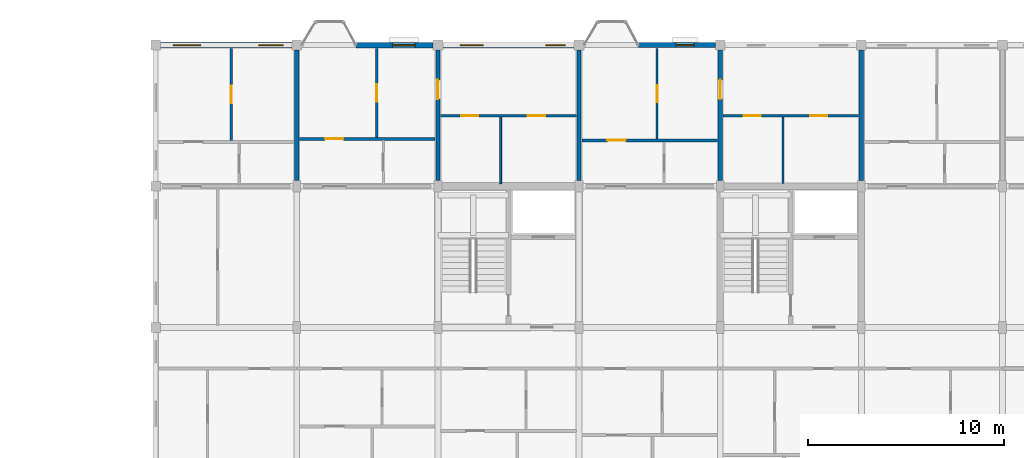
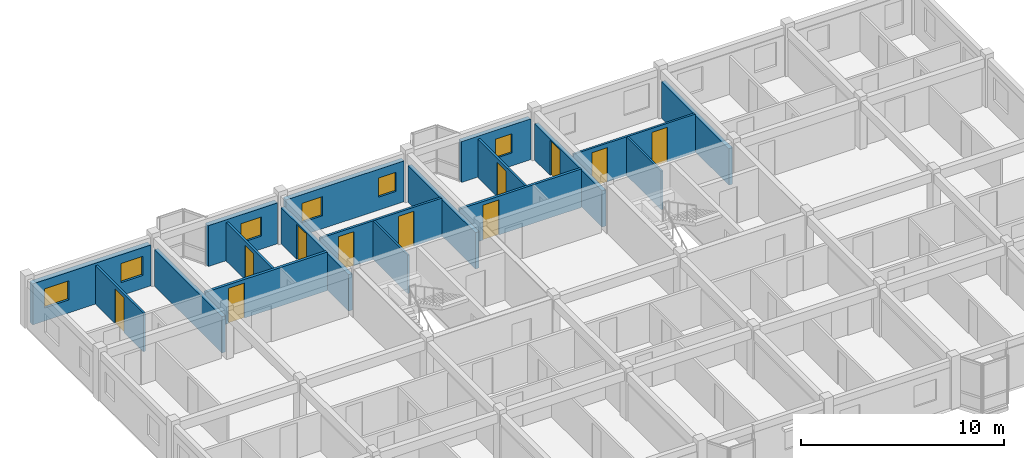
# One storey, part 59 of 65: 18 walls, 11 doors, 6 windows, 17 openings.
"""IFC4 building model written with IfcOpenShell, lengths in metres."""

from ifc_helpers import new_model, si_unit, direction, frame, frame_2d, origin, place, context, subcontext, project, spatial, rectangle, extrude, material, layer, layer_set, type_object, element, fill, save


model = new_model("IFC4")

# Units and contexts
model_context = context("Model", 3, precision=1e-05, world=origin(), true_north=direction((0.0, 1.0)))
body_context = subcontext(model_context, "Body", "Model", "MODEL_VIEW")
ifc_project = project(units=[si_unit("LENGTHUNIT", "METRE"), si_unit("AREAUNIT", "SQUARE_METRE"), si_unit("VOLUMEUNIT", "CUBIC_METRE"), si_unit("PLANEANGLEUNIT", "RADIAN"), si_unit("MASSUNIT", "GRAM", prefix="KILO"), si_unit("THERMODYNAMICTEMPERATUREUNIT", "KELVIN"), si_unit("POWERUNIT", "WATT")], contexts=[model_context])

# Site, building, storey
site_placement = place(None, origin())
site = spatial("IfcSite", under=ifc_project, at=site_placement, CompositionType="ELEMENT")
building_placement = place(site_placement, origin())
building = spatial("IfcBuilding", under=site, at=building_placement, Name="Tavuni Mirador Residences", CompositionType="ELEMENT")
storey_placement = place(building_placement, frame((0.0, 0.0, 29.699951171875)))
storey = spatial("IfcBuildingStorey", under=building, at=storey_placement, Name="L09", CompositionType="ELEMENT", Elevation=29.699951171875)

# Wall, opening, window
ifc_material_1 = material(Name="Sgraffito lime-rendered precast concrete C40/50", Category="concrete")
ifc_layer_1 = layer(ifc_material_1, 0.2548828125, Name="Sgraffito lime-rendered precast concrete C40/50", Category="concrete")
ifc_layer_set_1 = layer_set([ifc_layer_1], Name="Sgraffito lime-rendered precast concrete C40/50")
wall_type_1 = type_object("IfcWallType", Name="WT-EXT-PC255", PredefinedType="SOLIDWALL", material=ifc_layer_set_1)
wall_1_placement = place(storey_placement, frame((39.35009765625, 172.800048828125, 0.0), z_axis=(0.0, 0.0, 1.0), x_axis=(-1.0, 0.0, 0.0)))
wall_1 = element("IfcWall", 1, at=wall_1_placement, inside=storey, type_object=wall_type_1, Name="EW-BLK-C-L09-N03", PredefinedType="SOLIDWALL", context=body_context, shape_type="SweptSolid", body=[
    extrude(rectangle(XDim=3.93017578125, YDim=0.2548828125, at=frame_2d((1.965087890625, 0.0))), origin(), (0.0, 0.0, 1.0), 2.455078125),
])
opening_1_placement = place(wall_1_placement, frame((1.080078125, 0.0, 0.780029296875)))
opening_1 = element("IfcOpeningElement", 2, at=opening_1_placement, cuts=wall_1, Name="Opening WN-02", PredefinedType="OPENING", context=body_context, shape_type="SweptSolid", body=[
    extrude(rectangle(XDim=0.919921875, YDim=1.14990234375, at=frame_2d((0.4599609375, 0.574951171875))), frame((0.0, 0.137451171875, 0.0), z_axis=(0.0, -1.0, 0.0), x_axis=(1.0, 0.0, 0.0)), (0.0, 0.0, 1.0), 0.27490234375),
])
ifc_material_2 = material(Name="Laminated solar-control glass", Category="glass")
window_type_1 = type_object("IfcWindowType", Name="WNT-02", PartitioningType="SINGLE_PANEL", PredefinedType="WINDOW", material=ifc_material_2)
window_1_placement = place(opening_1_placement, origin())
window_1 = element("IfcWindow", 3, at=window_1_placement, inside=storey, type_object=window_type_1, Name="WIN-1252", OverallHeight=1.14990234375, OverallWidth=0.919921875, PartitioningType="SINGLE_PANEL", PredefinedType="WINDOW", context=body_context, shape_type="SweptSolid", body=[
    extrude(rectangle(XDim=0.919921875, YDim=1.14990234375, at=frame_2d((0.4599609375, 0.574951171875))), frame((0.0, 0.030029296875, 0.0), z_axis=(0.0, -1.0, 0.0), x_axis=(1.0, 0.0, 0.0)), (0.0, 0.0, 1.0), 0.06005859375),
])
fill(opening_1, window_1)

# Wall, openings, windows
ifc_layer_2 = layer(ifc_material_1, 0.27490234375, Name="Sgraffito lime-rendered precast concrete C40/50", Category="concrete")
ifc_layer_set_2 = layer_set([ifc_layer_2], Name="Sgraffito lime-rendered precast concrete C40/50")
wall_type_2 = type_object("IfcWallType", Name="WT-EXT-PC275", PredefinedType="SOLIDWALL", material=ifc_layer_set_2)
wall_2_placement = place(storey_placement, frame((32.14990234375, 172.800048828125, 0.0), z_axis=(0.0, 0.0, 1.0), x_axis=(-1.0, 0.0, 0.0)))
wall_2 = element("IfcWall", 4, at=wall_2_placement, inside=storey, type_object=wall_type_2, Name="EW-BLK-C-L09-N02", PredefinedType="SOLIDWALL", context=body_context, shape_type="SweptSolid", body=[
    extrude(rectangle(XDim=6.699951171875, YDim=0.27490234375, at=frame_2d((3.35009765625, 0.0))), origin(), (0.0, 0.0, 1.0), 2.455078125),
])
opening_2_placement = place(wall_2_placement, frame((0.449951171875, 0.0, 0.780029296875)))
opening_2 = element("IfcOpeningElement", 5, at=opening_2_placement, cuts=wall_2, Name="Opening WN-03", PredefinedType="OPENING", context=body_context, shape_type="SweptSolid", body=[
    extrude(rectangle(XDim=1.0, YDim=1.14990234375, at=frame_2d((0.5, 0.574951171875))), frame((0.0, 0.1474609375, 0.0), z_axis=(0.0, -1.0, 0.0), x_axis=(1.0, 0.0, 0.0)), (0.0, 0.0, 1.0), 0.294921875),
])
opening_3_placement = place(wall_2_placement, frame((4.64990234375, 0.0, 0.780029296875)))
opening_3 = element("IfcOpeningElement", 6, at=opening_3_placement, cuts=wall_2, Name="Opening WN-05", PredefinedType="OPENING", context=body_context, shape_type="SweptSolid", body=[
    extrude(rectangle(XDim=1.159912109375, YDim=1.14990234375, at=frame_2d((0.580078125, 0.574951171875))), frame((0.0, 0.1474609375, 0.0), z_axis=(0.0, -1.0, 0.0), x_axis=(1.0, 0.0, 0.0)), (0.0, 0.0, 1.0), 0.294921875),
])
window_type_2 = type_object("IfcWindowType", Name="WNT-03", PartitioningType="SINGLE_PANEL", PredefinedType="WINDOW", material=ifc_material_2)
window_2_placement = place(opening_2_placement, origin())
window_2 = element("IfcWindow", 7, at=window_2_placement, inside=storey, type_object=window_type_2, Name="WIN-1253", OverallHeight=1.14990234375, OverallWidth=1.0, PartitioningType="SINGLE_PANEL", PredefinedType="WINDOW", context=body_context, shape_type="SweptSolid", body=[
    extrude(rectangle(XDim=1.0, YDim=1.14990234375, at=frame_2d((0.5, 0.574951171875))), frame((0.0, 0.030029296875, 0.0), z_axis=(0.0, -1.0, 0.0), x_axis=(1.0, 0.0, 0.0)), (0.0, 0.0, 1.0), 0.06005859375),
])
fill(opening_2, window_2)
window_type_3 = type_object("IfcWindowType", Name="WNT-05", PartitioningType="SINGLE_PANEL", PredefinedType="WINDOW", material=ifc_material_2)
window_3_placement = place(opening_3_placement, origin())
window_3 = element("IfcWindow", 8, at=window_3_placement, inside=storey, type_object=window_type_3, Name="WIN-1254", OverallHeight=1.14990234375, OverallWidth=1.159912109375, PartitioningType="SINGLE_PANEL", PredefinedType="WINDOW", context=body_context, shape_type="SweptSolid", body=[
    extrude(rectangle(XDim=1.159912109375, YDim=1.14990234375, at=frame_2d((0.580078125, 0.574951171875))), frame((0.0, 0.030029296875, 0.0), z_axis=(0.0, -1.0, 0.0), x_axis=(1.0, 0.0, 0.0)), (0.0, 0.0, 1.0), 0.06005859375),
])
fill(opening_3, window_3)

# Wall, opening, window
ifc_layer_3 = layer(ifc_material_1, 0.2900390625, Name="Sgraffito lime-rendered precast concrete C40/50", Category="concrete")
ifc_layer_set_3 = layer_set([ifc_layer_3], Name="Sgraffito lime-rendered precast concrete C40/50")
wall_type_3 = type_object("IfcWallType", Name="WT-EXT-PC290", PredefinedType="SOLIDWALL", material=ifc_layer_set_3)
wall_3_placement = place(storey_placement, frame((24.949951171875, 172.800048828125, 0.0), z_axis=(0.0, 0.0, 1.0), x_axis=(-1.0, 0.0, 0.0)))
wall_3 = element("IfcWall", 9, at=wall_3_placement, inside=storey, type_object=wall_type_3, Name="EW-BLK-C-L09-N01", PredefinedType="SOLIDWALL", context=body_context, shape_type="SweptSolid", body=[
    extrude(rectangle(XDim=3.929931640625, YDim=0.2900390625, at=frame_2d((1.96484375, 0.0))), origin(), (0.0, 0.0, 1.0), 2.455078125),
])
opening_4_placement = place(wall_3_placement, frame((0.909912109375, 0.0, 0.780029296875)))
opening_4 = element("IfcOpeningElement", 10, at=opening_4_placement, cuts=wall_3, Name="Opening WN-05", PredefinedType="OPENING", context=body_context, shape_type="SweptSolid", body=[
    extrude(rectangle(XDim=1.159912109375, YDim=1.14990234375, at=frame_2d((0.580078125, 0.574951171875))), frame((0.0, 0.155029296875, 0.0), z_axis=(0.0, -1.0, 0.0), x_axis=(1.0, 0.0, 0.0)), (0.0, 0.0, 1.0), 0.31005859375),
])
window_4_placement = place(opening_4_placement, origin())
window_4 = element("IfcWindow", 11, at=window_4_placement, inside=storey, type_object=window_type_3, Name="WIN-1255", OverallHeight=1.14990234375, OverallWidth=1.159912109375, PartitioningType="SINGLE_PANEL", PredefinedType="WINDOW", context=body_context, shape_type="SweptSolid", body=[
    extrude(rectangle(XDim=1.159912109375, YDim=1.14990234375, at=frame_2d((0.580078125, 0.574951171875))), frame((0.0, 0.030029296875, 0.0), z_axis=(0.0, -1.0, 0.0), x_axis=(1.0, 0.0, 0.0)), (0.0, 0.0, 1.0), 0.06005859375),
])
fill(opening_4, window_4)

# Wall, openings, windows
ifc_layer_4 = layer(ifc_material_1, 0.304931640625, Name="Sgraffito lime-rendered precast concrete C40/50", Category="concrete")
ifc_layer_set_4 = layer_set([ifc_layer_4], Name="Sgraffito lime-rendered precast concrete C40/50")
wall_type_4 = type_object("IfcWallType", Name="WT-EXT-PC305", PredefinedType="SOLIDWALL", material=ifc_layer_set_4)
wall_4_placement = place(storey_placement, frame((17.75, 172.800048828125, 0.0), z_axis=(0.0, 0.0, 1.0), x_axis=(-1.0, 0.0, 0.0)))
wall_4 = element("IfcWall", 12, at=wall_4_placement, inside=storey, type_object=wall_type_4, Name="EW-BLK-C-L09-N00", PredefinedType="SOLIDWALL", context=body_context, shape_type="SweptSolid", body=[
    extrude(rectangle(XDim=6.699951171875, YDim=0.304931640625, at=frame_2d((3.35009765625, 0.0))), origin(), (0.0, 0.0, 1.0), 2.455078125),
])
opening_5_placement = place(wall_4_placement, frame((0.449951171875, 0.0, 0.780029296875)))
opening_5 = element("IfcOpeningElement", 13, at=opening_5_placement, cuts=wall_4, Name="Opening WN-06", PredefinedType="OPENING", context=body_context, shape_type="SweptSolid", body=[
    extrude(rectangle(XDim=1.239990234375, YDim=1.14990234375, at=frame_2d((0.6201171875, 0.574951171875))), frame((0.0, 0.16259765625, 0.0), z_axis=(0.0, -1.0, 0.0), x_axis=(1.0, 0.0, 0.0)), (0.0, 0.0, 1.0), 0.324951171875),
])
opening_6_placement = place(wall_4_placement, frame((4.64990234375, 0.0, 0.780029296875)))
opening_6 = element("IfcOpeningElement", 14, at=opening_6_placement, cuts=wall_4, Name="Opening WN-08", PredefinedType="OPENING", context=body_context, shape_type="SweptSolid", body=[
    extrude(rectangle(XDim=1.39990234375, YDim=1.14990234375, at=frame_2d((0.699951171875, 0.574951171875))), frame((0.0, 0.16259765625, 0.0), z_axis=(0.0, -1.0, 0.0), x_axis=(1.0, 0.0, 0.0)), (0.0, 0.0, 1.0), 0.324951171875),
])
window_type_4 = type_object("IfcWindowType", Name="WNT-06", PartitioningType="SINGLE_PANEL", PredefinedType="WINDOW", material=ifc_material_2)
window_5_placement = place(opening_5_placement, origin())
window_5 = element("IfcWindow", 15, at=window_5_placement, inside=storey, type_object=window_type_4, Name="WIN-1256", OverallHeight=1.14990234375, OverallWidth=1.239990234375, PartitioningType="SINGLE_PANEL", PredefinedType="WINDOW", context=body_context, shape_type="SweptSolid", body=[
    extrude(rectangle(XDim=1.239990234375, YDim=1.14990234375, at=frame_2d((0.6201171875, 0.574951171875))), frame((0.0, 0.030029296875, 0.0), z_axis=(0.0, -1.0, 0.0), x_axis=(1.0, 0.0, 0.0)), (0.0, 0.0, 1.0), 0.06005859375),
])
fill(opening_5, window_5)
window_type_5 = type_object("IfcWindowType", Name="WNT-08", PartitioningType="SINGLE_PANEL", PredefinedType="WINDOW", material=ifc_material_2)
window_6_placement = place(opening_6_placement, origin())
window_6 = element("IfcWindow", 16, at=window_6_placement, inside=storey, type_object=window_type_5, Name="WIN-1257", OverallHeight=1.14990234375, OverallWidth=1.39990234375, PartitioningType="SINGLE_PANEL", PredefinedType="WINDOW", context=body_context, shape_type="SweptSolid", body=[
    extrude(rectangle(XDim=1.39990234375, YDim=1.14990234375, at=frame_2d((0.699951171875, 0.574951171875))), frame((0.0, 0.030029296875, 0.0), z_axis=(0.0, -1.0, 0.0), x_axis=(1.0, 0.0, 0.0)), (0.0, 0.0, 1.0), 0.06005859375),
])
fill(opening_6, window_6)

# Walls
ifc_material_3 = material(Name="Acoustic gypsum and concrete block partition", Category="concrete")
ifc_layer_5 = layer(ifc_material_3, 0.094970703125, Name="Acoustic gypsum and concrete block partition", Category="concrete")
ifc_layer_set_5 = layer_set([ifc_layer_5], Name="Acoustic gypsum and concrete block partition")
wall_type_5 = type_object("IfcWallType", Name="WT-PART095", PredefinedType="PARTITIONING", material=ifc_layer_set_5)
wall_5_placement = place(storey_placement, frame((28.39990234375, 165.739990234375, 0.0), z_axis=(0.0, 0.0, 1.0), x_axis=(0.0, 1.0, 0.0)))
element("IfcWall", 17, at=wall_5_placement, inside=storey, type_object=wall_type_5, Name="PW-BLK-C-L09-NC02-V", PredefinedType="PARTITIONING", context=body_context, shape_type="SweptSolid", body=[
    extrude(rectangle(XDim=3.389892578125, YDim=0.094970703125, at=frame_2d((1.69482421875, 0.0))), origin(), (0.0, 0.0, 1.0), 2.320068359375),
])
ifc_layer_6 = layer(ifc_material_3, 0.10498046875, Name="Acoustic gypsum and concrete block partition", Category="concrete")
ifc_layer_set_6 = layer_set([ifc_layer_6], Name="Acoustic gypsum and concrete block partition")
wall_type_6 = type_object("IfcWallType", Name="WT-PART105", PredefinedType="PARTITIONING", material=ifc_layer_set_6)
wall_6_placement = place(storey_placement, frame((42.800048828125, 165.739990234375, 0.0), z_axis=(0.0, 0.0, 1.0), x_axis=(0.0, 1.0, 0.0)))
element("IfcWall", 18, at=wall_6_placement, inside=storey, type_object=wall_type_6, Name="PW-BLK-C-L09-NC04-V", PredefinedType="PARTITIONING", context=body_context, shape_type="SweptSolid", body=[
    extrude(rectangle(XDim=3.389892578125, YDim=0.10498046875, at=frame_2d((1.69482421875, 0.0))), origin(), (0.0, 0.0, 1.0), 2.320068359375),
])

# Wall, opening, door
ifc_layer_7 = layer(ifc_material_3, 0.114990234375, Name="Acoustic gypsum and concrete block partition", Category="concrete")
ifc_layer_set_7 = layer_set([ifc_layer_7], Name="Acoustic gypsum and concrete block partition")
wall_type_7 = type_object("IfcWallType", Name="WT-PART115", PredefinedType="PARTITIONING", material=ifc_layer_set_7)
wall_7_placement = place(storey_placement, frame((36.3798828125, 168.010009765625, 0.0), z_axis=(0.0, 0.0, 1.0), x_axis=(0.0, 1.0, 0.0)))
wall_7 = element("IfcWall", 19, at=wall_7_placement, inside=storey, type_object=wall_type_7, Name="PW-BLK-C-L09-N03-OUT", PredefinedType="PARTITIONING", context=body_context, shape_type="SweptSolid", body=[
    extrude(rectangle(XDim=4.614990234375, YDim=0.114990234375, at=frame_2d((2.3076171875, 0.0))), origin(), (0.0, 0.0, 1.0), 2.320068359375),
])
opening_7_placement = place(wall_7_placement, frame((1.867431640625, 0.0, 0.0)))
opening_7 = element("IfcOpeningElement", 20, at=opening_7_placement, cuts=wall_7, Name="Opening D-08", PredefinedType="OPENING", context=body_context, shape_type="SweptSolid", body=[
    extrude(rectangle(XDim=0.8798828125, YDim=2.080078125, at=frame_2d((0.43994140625, 1.0400390625))), frame((0.0, 0.0673828125, 0.0), z_axis=(0.0, -1.0, 0.0), x_axis=(1.0, 0.0, 0.0)), (0.0, 0.0, 1.0), 0.135009765625),
])
ifc_material_4 = material(Name="Solid core iroko timber", Category="wood")
door_type_1 = type_object("IfcDoorType", Name="DT-BED880", OperationType="NOTDEFINED", PredefinedType="DOOR", material=ifc_material_4)
door_1_placement = place(opening_7_placement, origin())
door_1 = element("IfcDoor", 21, at=door_1_placement, inside=storey, type_object=door_type_1, Name="DR-4134", OperationType="SINGLE_SWING_LEFT", OverallHeight=2.080078125, OverallWidth=0.8798828125, PredefinedType="DOOR", context=body_context, shape_type="SweptSolid", body=[
    extrude(rectangle(XDim=0.8798828125, YDim=2.080078125, at=frame_2d((0.43994140625, 1.0400390625))), frame((0.0, 0.02490234375, 0.0), z_axis=(0.0, -1.0, 0.0), x_axis=(1.0, 0.0, 0.0)), (0.0, 0.0, 1.0), 0.050048828125),
])
fill(opening_7, door_1)

# Wall, openings, doors
wall_8_placement = place(storey_placement, frame((39.739990234375, 169.199951171875, 0.0), z_axis=(0.0, 0.0, 1.0), x_axis=(1.0, 0.0, 0.0)))
wall_8 = element("IfcWall", 22, at=wall_8_placement, inside=storey, type_object=wall_type_7, Name="PW-BLK-C-L09-NC04-M", PredefinedType="PARTITIONING", context=body_context, shape_type="SweptSolid", body=[
    extrude(rectangle(XDim=6.919921875, YDim=0.114990234375, at=frame_2d((3.4599609375, 0.0))), origin(), (0.0, 0.0, 1.0), 2.320068359375),
])
opening_8_placement = place(wall_8_placement, frame((1.050048828125, 0.0, 0.0)))
opening_8 = element("IfcOpeningElement", 23, at=opening_8_placement, cuts=wall_8, Name="Opening D-10", PredefinedType="OPENING", context=body_context, shape_type="SweptSolid", body=[
    extrude(rectangle(XDim=0.8701171875, YDim=2.050048828125, at=frame_2d((0.43505859375, 1.02490234375))), frame((0.0, 0.0673828125, 0.0), z_axis=(0.0, -1.0, 0.0), x_axis=(1.0, 0.0, 0.0)), (0.0, 0.0, 1.0), 0.135009765625),
])
opening_9_placement = place(wall_8_placement, frame((4.449951171875, 0.0, 0.0)))
opening_9 = element("IfcOpeningElement", 24, at=opening_9_placement, cuts=wall_8, Name="Opening D-08", PredefinedType="OPENING", context=body_context, shape_type="SweptSolid", body=[
    extrude(rectangle(XDim=0.8798828125, YDim=2.080078125, at=frame_2d((0.43994140625, 1.0400390625))), frame((0.0, 0.0673828125, 0.0), z_axis=(0.0, -1.0, 0.0), x_axis=(1.0, 0.0, 0.0)), (0.0, 0.0, 1.0), 0.135009765625),
])
door_2_placement = place(opening_9_placement, origin())
door_2 = element("IfcDoor", 25, at=door_2_placement, inside=storey, type_object=door_type_1, Name="DR-4141", OperationType="SINGLE_SWING_RIGHT", OverallHeight=2.080078125, OverallWidth=0.8798828125, PredefinedType="DOOR", context=body_context, shape_type="SweptSolid", body=[
    extrude(rectangle(XDim=0.8798828125, YDim=2.080078125, at=frame_2d((0.43994140625, 1.0400390625))), frame((0.0, 0.02490234375, 0.0), z_axis=(0.0, -1.0, 0.0), x_axis=(1.0, 0.0, 0.0)), (0.0, 0.0, 1.0), 0.050048828125),
])
fill(opening_9, door_2)
door_type_2 = type_object("IfcDoorType", Name="DT-WC870", OperationType="NOTDEFINED", PredefinedType="DOOR", material=ifc_material_4)
door_3_placement = place(opening_8_placement, origin())
door_3 = element("IfcDoor", 26, at=door_3_placement, inside=storey, type_object=door_type_2, Name="DR-4140", OperationType="SINGLE_SWING_LEFT", OverallHeight=2.050048828125, OverallWidth=0.8701171875, PredefinedType="DOOR", context=body_context, shape_type="SweptSolid", body=[
    extrude(rectangle(XDim=0.8701171875, YDim=2.050048828125, at=frame_2d((0.43505859375, 1.02490234375))), frame((0.0, 0.02490234375, 0.0), z_axis=(0.0, -1.0, 0.0), x_axis=(1.0, 0.0, 0.0)), (0.0, 0.0, 1.0), 0.050048828125),
])
fill(opening_8, door_3)

# Wall, opening, door
ifc_layer_8 = layer(ifc_material_3, 0.125, Name="Acoustic gypsum and concrete block partition", Category="concrete")
ifc_layer_set_8 = layer_set([ifc_layer_8], Name="Acoustic gypsum and concrete block partition")
wall_type_8 = type_object("IfcWallType", Name="WT-PART125", PredefinedType="PARTITIONING", material=ifc_layer_set_8)
wall_9_placement = place(storey_placement, frame((14.659912109375, 167.929931640625, 0.0), z_axis=(0.0, 0.0, 1.0), x_axis=(0.0, 1.0, 0.0)))
wall_9 = element("IfcWall", 27, at=wall_9_placement, inside=storey, type_object=wall_type_8, Name="PW-BLK-C-L09-N00-OUT", PredefinedType="PARTITIONING", context=body_context, shape_type="SweptSolid", body=[
    extrude(rectangle(XDim=4.695068359375, YDim=0.125, at=frame_2d((2.34765625, 0.0))), origin(), (0.0, 0.0, 1.0), 2.320068359375),
])
opening_10_placement = place(wall_9_placement, frame((1.8974609375, 0.0, 0.0)))
opening_10 = element("IfcOpeningElement", 28, at=opening_10_placement, cuts=wall_9, Name="Opening D-07", PredefinedType="OPENING", context=body_context, shape_type="SweptSolid", body=[
    extrude(rectangle(XDim=0.89990234375, YDim=2.10009765625, at=frame_2d((0.449951171875, 1.050048828125))), frame((0.0, 0.072509765625, 0.0), z_axis=(0.0, -1.0, 0.0), x_axis=(1.0, 0.0, 0.0)), (0.0, 0.0, 1.0), 0.14501953125),
])
door_type_3 = type_object("IfcDoorType", Name="DT-BED900", OperationType="NOTDEFINED", PredefinedType="DOOR", material=ifc_material_4)
door_4_placement = place(opening_10_placement, origin())
door_4 = element("IfcDoor", 29, at=door_4_placement, inside=storey, type_object=door_type_3, Name="DR-4117", OperationType="SINGLE_SWING_RIGHT", OverallHeight=2.10009765625, OverallWidth=0.89990234375, PredefinedType="DOOR", context=body_context, shape_type="SweptSolid", body=[
    extrude(rectangle(XDim=0.89990234375, YDim=2.10009765625, at=frame_2d((0.449951171875, 1.050048828125))), frame((0.0, 0.02490234375, 0.0), z_axis=(0.0, -1.0, 0.0), x_axis=(1.0, 0.0, 0.0)), (0.0, 0.0, 1.0), 0.050048828125),
])
fill(opening_10, door_4)

wall_10_placement = place(storey_placement, frame((22.080078125, 168.090087890625, 0.0), z_axis=(0.0, 0.0, 1.0), x_axis=(0.0, 1.0, 0.0)))
wall_10 = element("IfcWall", 30, at=wall_10_placement, inside=storey, type_object=wall_type_8, Name="PW-BLK-C-L09-N01-OUT", PredefinedType="PARTITIONING", context=body_context, shape_type="SweptSolid", body=[
    extrude(rectangle(XDim=4.534912109375, YDim=0.125, at=frame_2d((2.267578125, 0.0))), origin(), (0.0, 0.0, 1.0), 2.320068359375),
])
opening_11_placement = place(wall_10_placement, frame((1.827392578125, 0.0, 0.0)))
opening_11 = element("IfcOpeningElement", 31, at=opening_11_placement, cuts=wall_10, Name="Opening D-08", PredefinedType="OPENING", context=body_context, shape_type="SweptSolid", body=[
    extrude(rectangle(XDim=0.8798828125, YDim=2.080078125, at=frame_2d((0.43994140625, 1.0400390625))), frame((0.0, 0.072509765625, 0.0), z_axis=(0.0, -1.0, 0.0), x_axis=(1.0, 0.0, 0.0)), (0.0, 0.0, 1.0), 0.14501953125),
])
door_5_placement = place(opening_11_placement, origin())
door_5 = element("IfcDoor", 32, at=door_5_placement, inside=storey, type_object=door_type_1, Name="DR-4123", OperationType="SINGLE_SWING_LEFT", OverallHeight=2.080078125, OverallWidth=0.8798828125, PredefinedType="DOOR", context=body_context, shape_type="SweptSolid", body=[
    extrude(rectangle(XDim=0.8798828125, YDim=2.080078125, at=frame_2d((0.43994140625, 1.0400390625))), frame((0.0, 0.02490234375, 0.0), z_axis=(0.0, -1.0, 0.0), x_axis=(1.0, 0.0, 0.0)), (0.0, 0.0, 1.0), 0.050048828125),
])
fill(opening_11, door_5)

# Wall, openings, doors
wall_11_placement = place(storey_placement, frame((25.340087890625, 169.199951171875, 0.0), z_axis=(0.0, 0.0, 1.0), x_axis=(1.0, 0.0, 0.0)))
wall_11 = element("IfcWall", 33, at=wall_11_placement, inside=storey, type_object=wall_type_8, Name="PW-BLK-C-L09-NC02-M", PredefinedType="PARTITIONING", context=body_context, shape_type="SweptSolid", body=[
    extrude(rectangle(XDim=6.919921875, YDim=0.125, at=frame_2d((3.4599609375, 0.0))), origin(), (0.0, 0.0, 1.0), 2.320068359375),
])
opening_12_placement = place(wall_11_placement, frame((1.050048828125, 0.0, 0.0)))
opening_12 = element("IfcOpeningElement", 34, at=opening_12_placement, cuts=wall_11, Name="Opening D-10", PredefinedType="OPENING", context=body_context, shape_type="SweptSolid", body=[
    extrude(rectangle(XDim=0.8701171875, YDim=2.050048828125, at=frame_2d((0.43505859375, 1.02490234375))), frame((0.0, 0.072509765625, 0.0), z_axis=(0.0, -1.0, 0.0), x_axis=(1.0, 0.0, 0.0)), (0.0, 0.0, 1.0), 0.14501953125),
])
opening_13_placement = place(wall_11_placement, frame((4.449951171875, 0.0, 0.0)))
opening_13 = element("IfcOpeningElement", 35, at=opening_13_placement, cuts=wall_11, Name="Opening D-08", PredefinedType="OPENING", context=body_context, shape_type="SweptSolid", body=[
    extrude(rectangle(XDim=0.8798828125, YDim=2.080078125, at=frame_2d((0.43994140625, 1.0400390625))), frame((0.0, 0.072509765625, 0.0), z_axis=(0.0, -1.0, 0.0), x_axis=(1.0, 0.0, 0.0)), (0.0, 0.0, 1.0), 0.14501953125),
])
door_6_placement = place(opening_13_placement, origin())
door_6 = element("IfcDoor", 36, at=door_6_placement, inside=storey, type_object=door_type_1, Name="DR-4130", OperationType="SINGLE_SWING_RIGHT", OverallHeight=2.080078125, OverallWidth=0.8798828125, PredefinedType="DOOR", context=body_context, shape_type="SweptSolid", body=[
    extrude(rectangle(XDim=0.8798828125, YDim=2.080078125, at=frame_2d((0.43994140625, 1.0400390625))), frame((0.0, 0.02490234375, 0.0), z_axis=(0.0, -1.0, 0.0), x_axis=(1.0, 0.0, 0.0)), (0.0, 0.0, 1.0), 0.050048828125),
])
fill(opening_13, door_6)
door_7_placement = place(opening_12_placement, origin())
door_7 = element("IfcDoor", 37, at=door_7_placement, inside=storey, type_object=door_type_2, Name="DR-4129", OperationType="SINGLE_SWING_LEFT", OverallHeight=2.050048828125, OverallWidth=0.8701171875, PredefinedType="DOOR", context=body_context, shape_type="SweptSolid", body=[
    extrude(rectangle(XDim=0.8701171875, YDim=2.050048828125, at=frame_2d((0.43505859375, 1.02490234375))), frame((0.0, 0.02490234375, 0.0), z_axis=(0.0, -1.0, 0.0), x_axis=(1.0, 0.0, 0.0)), (0.0, 0.0, 1.0), 0.050048828125),
])
fill(opening_12, door_7)

# Wall, opening, door
ifc_layer_9 = layer(ifc_material_3, 0.139892578125, Name="Acoustic gypsum and concrete block partition", Category="concrete")
ifc_layer_set_9 = layer_set([ifc_layer_9], Name="Acoustic gypsum and concrete block partition")
wall_type_9 = type_object("IfcWallType", Name="WT-PART140", PredefinedType="PARTITIONING", material=ifc_layer_set_9)
wall_12_placement = place(storey_placement, frame((32.5400390625, 167.93994140625, 0.0), z_axis=(0.0, 0.0, 1.0), x_axis=(1.0, 0.0, 0.0)))
wall_12 = element("IfcWall", 38, at=wall_12_placement, inside=storey, type_object=wall_type_9, Name="PW-BLK-C-L09-N03-MID", PredefinedType="PARTITIONING", context=body_context, shape_type="SweptSolid", body=[
    extrude(rectangle(XDim=6.919921875, YDim=0.139892578125, at=frame_2d((3.4599609375, 0.0))), origin(), (0.0, 0.0, 1.0), 2.320068359375),
])
opening_14_placement = place(wall_12_placement, frame((1.31005859375, 0.0, 0.0)))
opening_14 = element("IfcOpeningElement", 39, at=opening_14_placement, cuts=wall_12, Name="Opening D-06", PredefinedType="OPENING", context=body_context, shape_type="SweptSolid", body=[
    extrude(rectangle(XDim=0.919921875, YDim=2.10009765625, at=frame_2d((0.4599609375, 1.050048828125))), frame((0.0, 0.080078125, 0.0), z_axis=(0.0, -1.0, 0.0), x_axis=(1.0, 0.0, 0.0)), (0.0, 0.0, 1.0), 0.159912109375),
])
door_type_4 = type_object("IfcDoorType", Name="DT-INT920", OperationType="NOTDEFINED", PredefinedType="DOOR", material=ifc_material_4)
door_8_placement = place(opening_14_placement, origin())
door_8 = element("IfcDoor", 40, at=door_8_placement, inside=storey, type_object=door_type_4, Name="DR-4136", OperationType="SINGLE_SWING_RIGHT", OverallHeight=2.10009765625, OverallWidth=0.919921875, PredefinedType="DOOR", context=body_context, shape_type="SweptSolid", body=[
    extrude(rectangle(XDim=0.919921875, YDim=2.10009765625, at=frame_2d((0.4599609375, 1.050048828125))), frame((0.0, 0.02490234375, 0.0), z_axis=(0.0, -1.0, 0.0), x_axis=(1.0, 0.0, 0.0)), (0.0, 0.0, 1.0), 0.050048828125),
])
fill(opening_14, door_8)

ifc_layer_10 = layer(ifc_material_3, 0.14990234375, Name="Acoustic gypsum and concrete block partition", Category="concrete")
ifc_layer_set_10 = layer_set([ifc_layer_10], Name="Acoustic gypsum and concrete block partition")
wall_type_10 = type_object("IfcWallType", Name="WT-PART150", PredefinedType="PARTITIONING", material=ifc_layer_set_10)
wall_13_placement = place(storey_placement, frame((18.139892578125, 168.02001953125, 0.0), z_axis=(0.0, 0.0, 1.0), x_axis=(1.0, 0.0, 0.0)))
wall_13 = element("IfcWall", 41, at=wall_13_placement, inside=storey, type_object=wall_type_10, Name="PW-BLK-C-L09-N01-MID", PredefinedType="PARTITIONING", context=body_context, shape_type="SweptSolid", body=[
    extrude(rectangle(XDim=6.920166015625, YDim=0.14990234375, at=frame_2d((3.4599609375, 0.0))), origin(), (0.0, 0.0, 1.0), 2.320068359375),
])
opening_15_placement = place(wall_13_placement, frame((1.31005859375, 0.0, 0.0)))
opening_15 = element("IfcOpeningElement", 42, at=opening_15_placement, cuts=wall_13, Name="Opening D-06", PredefinedType="OPENING", context=body_context, shape_type="SweptSolid", body=[
    extrude(rectangle(XDim=0.919921875, YDim=2.10009765625, at=frame_2d((0.4599609375, 1.050048828125))), frame((0.0, 0.0849609375, 0.0), z_axis=(0.0, -1.0, 0.0), x_axis=(1.0, 0.0, 0.0)), (0.0, 0.0, 1.0), 0.169921875),
])
door_9_placement = place(opening_15_placement, origin())
door_9 = element("IfcDoor", 43, at=door_9_placement, inside=storey, type_object=door_type_4, Name="DR-4125", OperationType="SINGLE_SWING_RIGHT", OverallHeight=2.10009765625, OverallWidth=0.919921875, PredefinedType="DOOR", context=body_context, shape_type="SweptSolid", body=[
    extrude(rectangle(XDim=0.919921875, YDim=2.10009765625, at=frame_2d((0.4599609375, 1.050048828125))), frame((0.0, 0.02490234375, 0.0), z_axis=(0.0, -1.0, 0.0), x_axis=(1.0, 0.0, 0.0)), (0.0, 0.0, 1.0), 0.050048828125),
])
fill(opening_15, door_9)

# Wall
ifc_material_5 = material(Name="Precast concrete C40/50", Category="concrete")
ifc_layer_11 = layer(ifc_material_5, 0.215087890625, Name="Precast concrete C40/50", Category="concrete")
ifc_layer_set_11 = layer_set([ifc_layer_11], Name="Precast concrete C40/50")
wall_type_11 = type_object("IfcWallType", Name="WT-XW215", PredefinedType="SOLIDWALL", material=ifc_layer_set_11)
wall_14_placement = place(storey_placement, frame((18.0, 165.89990234375, 0.0), z_axis=(0.0, 0.0, 1.0), x_axis=(0.0, 1.0, 0.0)))
element("IfcWall", 44, at=wall_14_placement, inside=storey, type_object=wall_type_11, Name="XW-BLK-C-L09-N-01", PredefinedType="SOLIDWALL", context=body_context, shape_type="SweptSolid", body=[
    extrude(rectangle(XDim=6.650146484375, YDim=0.215087890625, at=frame_2d((3.3251953125, 0.0))), origin(), (0.0, 0.0, 1.0), 2.18505859375),
])

# Wall, opening, door
wall_15_placement = place(storey_placement, frame((25.199951171875, 165.89990234375, 0.0), z_axis=(0.0, 0.0, 1.0), x_axis=(0.0, 1.0, 0.0)))
wall_15 = element("IfcWall", 45, at=wall_15_placement, inside=storey, type_object=wall_type_11, Name="XW-BLK-C-L09-N-02", PredefinedType="SOLIDWALL", context=body_context, shape_type="SweptSolid", body=[
    extrude(rectangle(XDim=6.650146484375, YDim=0.215087890625, at=frame_2d((3.3251953125, 0.0))), origin(), (0.0, 0.0, 1.0), 2.18505859375),
])
opening_16_placement = place(wall_15_placement, frame((4.14990234375, 0.0, 0.0)))
opening_16 = element("IfcOpeningElement", 46, at=opening_16_placement, cuts=wall_15, Name="Opening D-04", PredefinedType="OPENING", context=body_context, shape_type="SweptSolid", body=[
    extrude(rectangle(XDim=0.97998046875, YDim=2.1201171875, at=frame_2d((0.489990234375, 1.06005859375))), frame((0.0, 0.11767578125, 0.0), z_axis=(0.0, -1.0, 0.0), x_axis=(1.0, 0.0, 0.0)), (0.0, 0.0, 1.0), 0.235107421875),
])
door_type_5 = type_object("IfcDoorType", Name="DT-FD60-980", OperationType="NOTDEFINED", PredefinedType="DOOR", material=ifc_material_4)
door_10_placement = place(opening_16_placement, origin())
door_10 = element("IfcDoor", 47, at=door_10_placement, inside=storey, type_object=door_type_5, Name="DR-4746", OperationType="SINGLE_SWING_LEFT", OverallHeight=2.1201171875, OverallWidth=0.97998046875, PredefinedType="DOOR", context=body_context, shape_type="SweptSolid", body=[
    extrude(rectangle(XDim=0.97998046875, YDim=2.1201171875, at=frame_2d((0.489990234375, 1.06005859375))), frame((0.0, 0.02490234375, 0.0), z_axis=(0.0, -1.0, 0.0), x_axis=(1.0, 0.0, 0.0)), (0.0, 0.0, 1.0), 0.050048828125),
])
fill(opening_16, door_10)

# Wall
wall_16_placement = place(storey_placement, frame((32.39990234375, 165.89990234375, 0.0), z_axis=(0.0, 0.0, 1.0), x_axis=(0.0, 1.0, 0.0)))
element("IfcWall", 48, at=wall_16_placement, inside=storey, type_object=wall_type_11, Name="XW-BLK-C-L09-N-03", PredefinedType="SOLIDWALL", context=body_context, shape_type="SweptSolid", body=[
    extrude(rectangle(XDim=6.650146484375, YDim=0.215087890625, at=frame_2d((3.3251953125, 0.0))), origin(), (0.0, 0.0, 1.0), 2.18505859375),
])

# Wall, opening, door
wall_17_placement = place(storey_placement, frame((39.60009765625, 165.89990234375, 0.0), z_axis=(0.0, 0.0, 1.0), x_axis=(0.0, 1.0, 0.0)))
wall_17 = element("IfcWall", 49, at=wall_17_placement, inside=storey, type_object=wall_type_11, Name="XW-BLK-C-L09-N-04", PredefinedType="SOLIDWALL", context=body_context, shape_type="SweptSolid", body=[
    extrude(rectangle(XDim=6.650146484375, YDim=0.215087890625, at=frame_2d((3.3251953125, 0.0))), origin(), (0.0, 0.0, 1.0), 2.18505859375),
])
opening_17_placement = place(wall_17_placement, frame((4.14990234375, 0.0, 0.0)))
opening_17 = element("IfcOpeningElement", 50, at=opening_17_placement, cuts=wall_17, Name="Opening D-04", PredefinedType="OPENING", context=body_context, shape_type="SweptSolid", body=[
    extrude(rectangle(XDim=0.97998046875, YDim=2.1201171875, at=frame_2d((0.489990234375, 1.06005859375))), frame((0.0, 0.11767578125, 0.0), z_axis=(0.0, -1.0, 0.0), x_axis=(1.0, 0.0, 0.0)), (0.0, 0.0, 1.0), 0.235107421875),
])
door_11_placement = place(opening_17_placement, origin())
door_11 = element("IfcDoor", 51, at=door_11_placement, inside=storey, type_object=door_type_5, Name="DR-4747", OperationType="SINGLE_SWING_RIGHT", OverallHeight=2.1201171875, OverallWidth=0.97998046875, PredefinedType="DOOR", context=body_context, shape_type="SweptSolid", body=[
    extrude(rectangle(XDim=0.97998046875, YDim=2.1201171875, at=frame_2d((0.489990234375, 1.06005859375))), frame((0.0, 0.02490234375, 0.0), z_axis=(0.0, -1.0, 0.0), x_axis=(1.0, 0.0, 0.0)), (0.0, 0.0, 1.0), 0.050048828125),
])
fill(opening_17, door_11)

# Wall
wall_18_placement = place(storey_placement, frame((46.800048828125, 165.89990234375, 0.0), z_axis=(0.0, 0.0, 1.0), x_axis=(0.0, 1.0, 0.0)))
element("IfcWall", 52, at=wall_18_placement, inside=storey, type_object=wall_type_11, Name="XW-BLK-C-L09-N-05", PredefinedType="SOLIDWALL", context=body_context, shape_type="SweptSolid", body=[
    extrude(rectangle(XDim=6.650146484375, YDim=0.215087890625, at=frame_2d((3.3251953125, 0.0))), origin(), (0.0, 0.0, 1.0), 2.18505859375),
])

save(model, "model.ifc")
